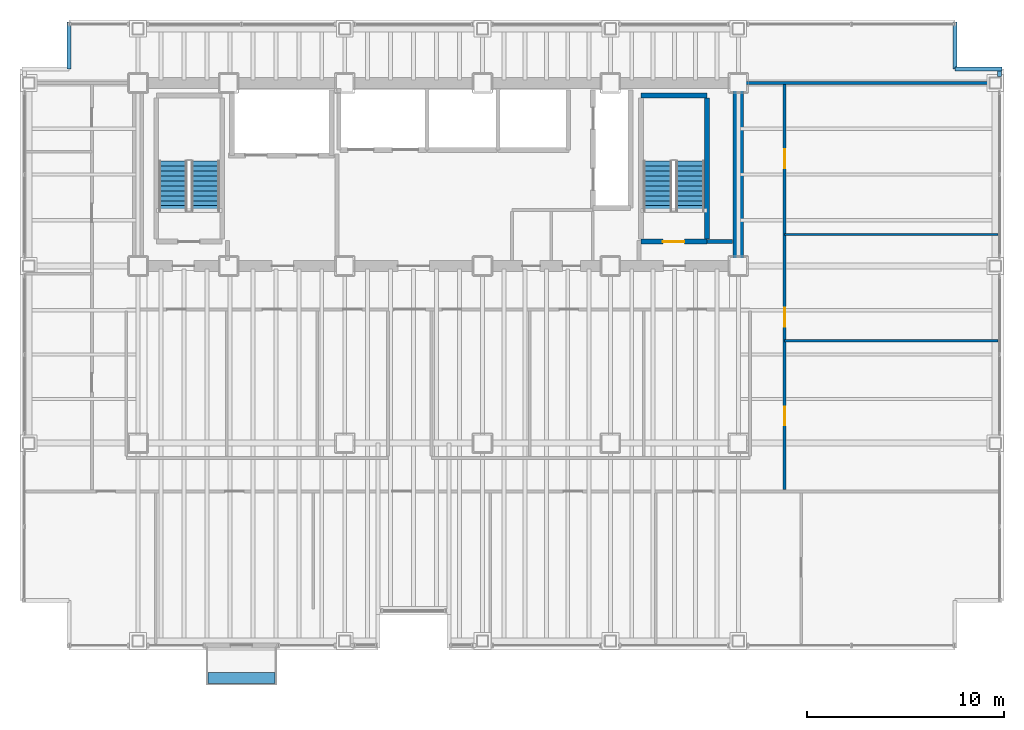
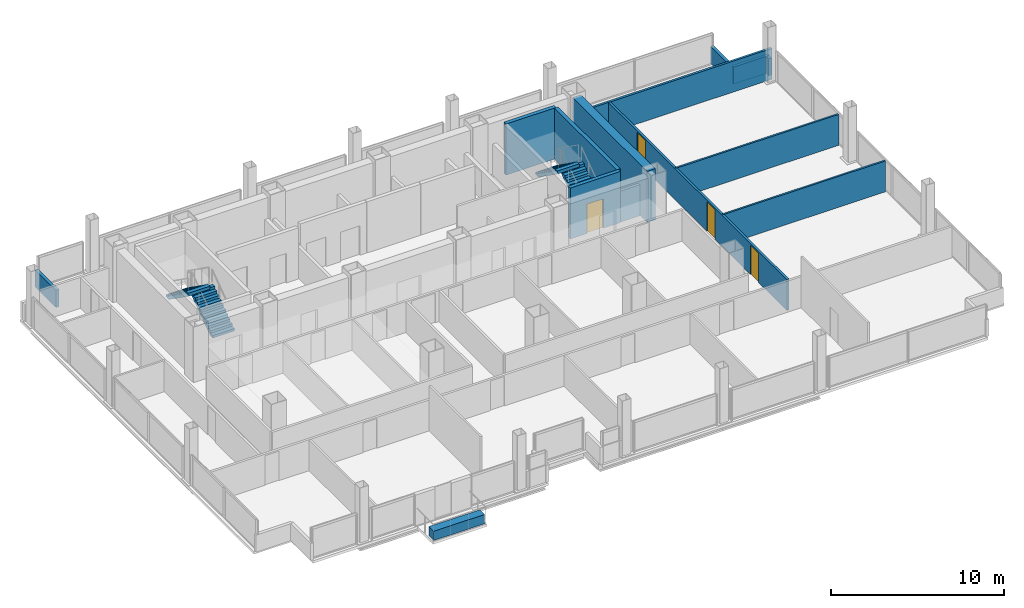
# One storey, part 20 of 21: 13 walls, 4 doors, 4 stair flights, 1 discrete accessory, 4 openings, 2 elements without a shape of their own.
"""IFC4 building model written with IfcOpenShell, lengths in metres."""

import ifcopenshell
import ifcopenshell.guid

model = None  # the IFC model being written
_history = None  # IfcOwnerHistory: only IFC2X3 demands one
_inside = {}  # id of a spatial element -> (the spatial element, [elements in it])
_under = {}  # id of a project, library or spatial element -> (it, [spatial elements below it])
_declared = {}  # id of a project -> (the project, [libraries it declares])
_typed = {}  # id of a type object -> (the type object, [elements of that type])
_made_of = {}  # id of a material, layer set ... -> (it, [elements and type objects made of it])


def new_model(schema):
    """Start an empty IFC model of exactly this schema.

    Asked for "IFC4X3", IfcOpenShell would pick the latest addendum, in which some entities
    have other attributes; the version numbers below select the first issue.
    IFC2X3 requires an IfcOwnerHistory on every rooted entity: one is made here for all.
    """
    global model, _history
    if schema == "IFC4X3":
        model = ifcopenshell.file(schema_version=(4, 3, 0, 0))
    else:
        model = ifcopenshell.file(schema=schema)
    _inside.clear()
    _under.clear()
    _declared.clear()
    _typed.clear()
    _made_of.clear()
    _history = None
    if model.schema == "IFC2X3":
        org = make("IfcOrganization", Name="unknown")
        user = make(
            "IfcPersonAndOrganization",
            ThePerson=make("IfcPerson", FamilyName="unknown"),
            TheOrganization=org,
        )
        app = make(
            "IfcApplication",
            ApplicationDeveloper=org,
            Version="unknown",
            ApplicationFullName="unknown",
            ApplicationIdentifier="unknown",
        )
        _history = make(
            "IfcOwnerHistory",
            OwningUser=user,
            OwningApplication=app,
            ChangeAction="ADDED",
            CreationDate=0,
        )
    return model


def make(cls, **values):
    """One entity of the class cls with the attributes given. An attribute that is None is left unset."""
    return model.create_entity(
        cls, **{name: value for name, value in values.items() if value is not None}
    )


def rooted(cls, **values):
    """An entity with a GlobalId (a new one), such as an element, a storey or a relation."""
    return make(cls, GlobalId=ifcopenshell.guid.new(), OwnerHistory=_history, **values)


def si_unit(unit_type, name, prefix=None):
    """IfcSIUnit, for example si_unit("LENGTHUNIT", "METRE", prefix="MILLI")."""
    return make("IfcSIUnit", UnitType=unit_type, Prefix=prefix, Name=name)


def assignment(units):
    """IfcUnitAssignment: the units of a project."""
    return None if units is None else make("IfcUnitAssignment", Units=units)


def point(xyz):
    """IfcCartesianPoint."""
    return None if xyz is None else make("IfcCartesianPoint", Coordinates=xyz)


def direction(xyz):
    """IfcDirection."""
    return None if xyz is None else make("IfcDirection", DirectionRatios=xyz)


def frame(location, z_axis=None, x_axis=None):
    """IfcAxis2Placement3D, a coordinate frame: its origin and axes. An axis left out is left unset."""
    return make(
        "IfcAxis2Placement3D",
        Location=point(location),
        Axis=direction(z_axis),
        RefDirection=direction(x_axis),
    )


def frame_2d(location, x_axis=None):
    """IfcAxis2Placement2D, a coordinate frame in the plane: its origin and x axis."""
    return make(
        "IfcAxis2Placement2D", Location=point(location), RefDirection=direction(x_axis)
    )


def origin():
    """The frame at (0, 0, 0) with its axes left unset."""
    return frame((0.0, 0.0, 0.0))


def origin_2d():
    """The frame at (0, 0) in the plane with its x axis left unset."""
    return frame_2d((0.0, 0.0))


def place(relative_to, where):
    """IfcLocalPlacement: puts the frame where relative to a parent placement (None: the world)."""
    return make(
        "IfcLocalPlacement", PlacementRelTo=relative_to, RelativePlacement=where
    )


def context(
    kind, dimensions, precision=None, world=None, true_north=None, identifier=None
):
    """IfcGeometricRepresentationContext, for example the 3D "Model" context."""
    return make(
        "IfcGeometricRepresentationContext",
        ContextIdentifier=identifier,
        ContextType=kind,
        CoordinateSpaceDimension=dimensions,
        Precision=precision,
        WorldCoordinateSystem=world,
        TrueNorth=true_north,
    )


def subcontext(parent, identifier, kind, view, scale=None):
    """IfcGeometricRepresentationSubContext, for example "Body" below "Model"."""
    return make(
        "IfcGeometricRepresentationSubContext",
        ContextIdentifier=identifier,
        ContextType=kind,
        ParentContext=parent,
        TargetScale=scale,
        TargetView=view,
    )


def project(units=None, contexts=None):
    """IfcProject with its units and contexts."""
    return rooted(
        "IfcProject",
        Name="project",
        RepresentationContexts=contexts,
        UnitsInContext=assignment(units),
    )


def spatial(cls, under=None, at=None, **own):
    """A site, building, storey or space (cls), placed at a placement, below another one or the project."""
    s = rooted(cls, ObjectPlacement=at, **own)
    if under is not None:
        _under.setdefault(under.id(), (under, []))[1].append(s)
    return s


def polyline(points):
    """IfcPolyline through the points."""
    return make("IfcPolyline", Points=[point(p) for p in points])


def profile(cls, at=None, kind="AREA", **sizes):
    """A parametric profile (cls). Its sizes go by their IFC names, for example OverallWidth=200.0."""
    return make(cls, ProfileType=kind, Position=at, **sizes)


def rectangle(**sizes):
    """IfcRectangleProfileDef."""
    return profile("IfcRectangleProfileDef", **sizes)


def outline(outer, holes=None, kind="AREA"):
    """IfcArbitraryClosedProfileDef: a profile drawn as a closed curve; with holes, ...WithVoids."""
    if holes is None:
        return make("IfcArbitraryClosedProfileDef", ProfileType=kind, OuterCurve=outer)
    return make(
        "IfcArbitraryProfileDefWithVoids",
        ProfileType=kind,
        OuterCurve=outer,
        InnerCurves=holes,
    )


def extrude(swept, where, along, depth):
    """IfcExtrudedAreaSolid: the profile swept, set in the frame where, extruded along a direction by depth."""
    return make(
        "IfcExtrudedAreaSolid",
        SweptArea=swept,
        Position=where,
        ExtrudedDirection=direction(along),
        Depth=depth,
    )


def shape(context_of_items, identifier, shape_type, items):
    """IfcShapeRepresentation: the items that make up one representation, for example the "Body"."""
    return make(
        "IfcShapeRepresentation",
        ContextOfItems=context_of_items,
        RepresentationIdentifier=identifier,
        RepresentationType=shape_type,
        Items=items,
    )


def material(Name=None, Category=None):
    """IfcMaterial."""
    return make("IfcMaterial", Name=Name, Category=Category)


def layer(
    of_material, thickness, ventilated=None, Name=None, Category=None, Priority=None
):
    """IfcMaterialLayer: one layer of a wall or slab, of a material (None: an air gap)."""
    return make(
        "IfcMaterialLayer",
        Material=of_material,
        LayerThickness=thickness,
        IsVentilated=ventilated,
        Name=Name,
        Category=Category,
        Priority=Priority,
    )


def layer_set(layers, Name=None):
    """IfcMaterialLayerSet."""
    return make("IfcMaterialLayerSet", MaterialLayers=layers, LayerSetName=Name)


def made_of(thing, what):
    """Note that an element or type object is made of a material, layer set ...; save() writes the relation."""
    if what is not None:
        _made_of.setdefault(what.id(), (what, []))[1].append(thing)
    return thing


def type_object(cls, material=None, **own):
    """A type object (cls), such as IfcWallType, which elements share."""
    return made_of(rooted(cls, **own), material)


def element(
    cls,
    number,
    at=None,
    inside=None,
    cuts=None,
    type_object=None,
    material=None,
    context=None,
    identifier="Body",
    shape_type=None,
    held_by="IfcProductDefinitionShape",
    body=None,
    shapes=None,
    **own,
):
    """One element of the class cls, such as IfcWall. Its Tag is "e" and its number.

    at: its placement. inside: the storey or other place that contains it. cuts: it is an
    opening in that element (IfcRelVoidsElement). A single representation is given by context,
    identifier, shape_type and body (its items); several are given by shapes. held_by: the class
    of the entity that holds the representations. save() writes the other relations.
    """
    e = rooted(cls, Tag="e%d" % number, ObjectPlacement=at, **own)
    if body is not None:
        shapes = [shape(context, identifier, shape_type, body)]
    if shapes is not None:
        e.Representation = make(held_by, Representations=shapes)
    if inside is not None:
        _inside.setdefault(inside.id(), (inside, []))[1].append(e)
    if cuts is not None:
        rooted(
            "IfcRelVoidsElement", RelatingBuildingElement=cuts, RelatedOpeningElement=e
        )
    if type_object is not None:
        _typed.setdefault(type_object.id(), (type_object, []))[1].append(e)
    return made_of(e, material)


def fill(opening, filler):
    """IfcRelFillsElement: the door or window that sits in an opening."""
    return rooted(
        "IfcRelFillsElement",
        RelatingOpeningElement=opening,
        RelatedBuildingElement=filler,
    )


def aggregate(whole, parts):
    """IfcRelAggregates: a whole, such as a stair, and the parts it consists of."""
    return rooted("IfcRelAggregates", RelatingObject=whole, RelatedObjects=parts)


def save(model, path):
    """Write the relations noted so far, then the file.

    IfcRelAggregates (storeys below a building ...), IfcRelContainedInSpatialStructure (elements
    in a storey), IfcRelDefinesByType, IfcRelAssociatesMaterial and IfcRelDeclares: one each for
    every whole, place, type object, material and project.
    """
    for whole, parts in _under.values():
        aggregate(whole, parts)
    for where, things in _inside.values():
        rooted(
            "IfcRelContainedInSpatialStructure",
            RelatedElements=things,
            RelatingStructure=where,
        )
    for kind, things in _typed.values():
        rooted("IfcRelDefinesByType", RelatedObjects=things, RelatingType=kind)
    for what, things in _made_of.values():
        rooted("IfcRelAssociatesMaterial", RelatedObjects=things, RelatingMaterial=what)
    for by, libraries in _declared.values():
        rooted("IfcRelDeclares", RelatingContext=by, RelatedDefinitions=libraries)
    model.write(path)


model = new_model("IFC4")

# Units and contexts
model_context = context("Model", 3, precision=1e-05, world=origin(), true_north=direction((0.0, 1.0)))
body_context = subcontext(model_context, "Body", "Model", "MODEL_VIEW")
ifc_project = project(units=[si_unit("LENGTHUNIT", "METRE"), si_unit("AREAUNIT", "SQUARE_METRE"), si_unit("VOLUMEUNIT", "CUBIC_METRE"), si_unit("PLANEANGLEUNIT", "RADIAN"), si_unit("MASSUNIT", "GRAM", prefix="KILO")], contexts=[model_context])

# Site, building, storey
site_placement = place(None, origin())
site = spatial("IfcSite", under=ifc_project, at=site_placement, CompositionType="ELEMENT")
building_placement = place(site_placement, origin())
building = spatial("IfcBuilding", under=site, at=building_placement, Name="Noeulbin Bourse Tower", CompositionType="ELEMENT")
storey_placement = place(building_placement, frame((0.0, 0.0, 96.699951171875)))
storey = spatial("IfcBuildingStorey", under=building, at=storey_placement, Name="L24", CompositionType="ELEMENT", Elevation=96.699951171875)

# Walls
ifc_material_1 = material(Name="Concrete C60/75", Category="concrete")
ifc_layer_1 = layer(ifc_material_1, 0.550048828125)
ifc_layer_set_1 = layer_set([ifc_layer_1], Name="Concrete C60/75")
wall_type_1 = type_object("IfcWallType", Name="WAL-CORE-550", PredefinedType="SHEAR", material=ifc_layer_set_1)
wall_1_placement = place(storey_placement, frame((44.0, 29.35009765625, 0.0), z_axis=(0.0, 0.0, 1.0), x_axis=(0.0, 1.0, 0.0)))
element("IfcWall", 1, at=wall_1_placement, inside=storey, type_object=wall_type_1, Name="Rear Core East Shear Wall L24", PredefinedType="SHEAR", context=body_context, shape_type="SweptSolid", body=[
    extrude(rectangle(XDim=8.599853515625, YDim=0.550048828125, at=frame_2d((4.2998046875, 0.0))), origin(), (0.0, 0.0, 1.0), 3.60009765625),
])
ifc_material_2 = material(Name="Concrete C40/50", Category="concrete")
ifc_layer_2 = layer(ifc_material_2, 0.199951171875)
ifc_layer_set_2 = layer_set([ifc_layer_2], Name="Concrete C40/50")
wall_type_2 = type_object("IfcWallType", Name="WAL-FIRE-200", PredefinedType="STANDARD", material=ifc_layer_set_2)
wall_2_placement = place(storey_placement, frame((42.39990234375, 30.239990234375, 0.0), z_axis=(0.0, 0.0, 1.0), x_axis=(1.0, 0.0, 0.0)))
element("IfcWall", 2, at=wall_2_placement, inside=storey, type_object=wall_type_2, Name="Interior Partition Wall L24-01", PredefinedType="STANDARD", context=body_context, shape_type="SweptSolid", body=[
    extrude(rectangle(XDim=1.315185546875, YDim=0.199951171875, at=frame_2d((0.65771484375, 0.0))), origin(), (0.0, 0.0, 1.0), 2.179931640625),
])
ifc_layer_3 = layer(ifc_material_2, 0.199951171875)
ifc_layer_set_3 = layer_set([ifc_layer_3], Name="Concrete C40/50")
wall_type_3 = type_object("IfcWallType", Name="WAL-PAR-200", PredefinedType="PARAPET", material=ifc_layer_set_3)
wall_3_placement = place(storey_placement, frame((57.280029296875, 38.6201171875, 0.0), z_axis=(0.0, 0.0, 1.0), x_axis=(0.0, 1.0, 0.0)))
element("IfcWall", 3, at=wall_3_placement, inside=storey, type_object=wall_type_3, Name="Perimeter Pier Spandrel Parapet L24-E2", PredefinedType="PARAPET", context=body_context, shape_type="SweptSolid", body=[
    extrude(rectangle(XDim=0.27978515625, YDim=0.199951171875, at=frame_2d((0.139892578125, 0.0))), origin(), (0.0, 0.0, 1.0), 1.199951171875),
])
for number, where, z_axis, x_axis, name in (
    (4, (10.0, 39.0, 0.0), (0.0, 0.0, 1.0), (0.0, 1.0, 0.0), "Corner Notch Parapet L24-NW2"),
    (5, (55.0, 41.39990234375, 0.0), (0.0, 0.0, 1.0), (0.0, -1.0, 0.0), "Corner Notch Parapet L24-NE1"),
    (6, (55.0, 39.0, 0.0), (0.0, 0.0, 1.0), (1.0, 0.0, 0.0), "Corner Notch Parapet L24-NE2"),
):
    element("IfcWall", number, at=place(storey_placement, frame(where, z_axis=z_axis, x_axis=x_axis)), inside=storey, type_object=wall_type_3, Name=name, PredefinedType="PARAPET", context=body_context, shape_type="SweptSolid", body=[
        extrude(rectangle(XDim=2.39990234375, YDim=0.199951171875, at=frame_2d((1.199951171875, 0.0))), origin(), (0.0, 0.0, 1.0), 1.199951171875),
    ])
ifc_material_3 = material(Name="Steel Stud Gypsum Partition", Category="steel")
ifc_layer_4 = layer(ifc_material_3, 0.1201171875)
ifc_layer_set_4 = layer_set([ifc_layer_4], Name="Steel Stud Gypsum Partition")
wall_type_4 = type_object("IfcWallType", Name="WAL-PRT-120", PredefinedType="PARTITIONING", material=ifc_layer_set_4)
for number, where, z_axis, x_axis, name in (
    (7, (46.35009765625, 25.199951171875, 0.0), (0.0, 0.0, 1.0), (1.0, 0.0, 0.0), "Interior Partition Wall L24-11"),
    (8, (46.35009765625, 30.60009765625, 0.0), (0.0, 0.0, 1.0), (1.0, 0.0, 0.0), "Interior Partition Wall L24-12"),
):
    element("IfcWall", number, at=place(storey_placement, frame(where, z_axis=z_axis, x_axis=x_axis)), inside=storey, type_object=wall_type_4, Name=name, PredefinedType="PARTITIONING", context=body_context, shape_type="SweptSolid", body=[
        extrude(rectangle(XDim=10.83984375, YDim=0.1201171875, at=frame_2d((5.419921875, 0.0))), origin(), (0.0, 0.0, 1.0), 2.179931640625),
    ])
ifc_material_4 = material(Name="Steel Stud Acoustic Gypsum Board", Category="steel")
ifc_layer_5 = layer(ifc_material_4, 0.14990234375)
ifc_layer_set_5 = layer_set([ifc_layer_5], Name="Steel Stud Acoustic Gypsum Board")
wall_type_5 = type_object("IfcWallType", Name="WAL-PRT-150", PredefinedType="PARTITIONING", material=ifc_layer_set_5)
wall_4_placement = place(storey_placement, frame((44.0, 38.300048828125, 0.0), z_axis=(0.0, 0.0, 1.0), x_axis=(1.0, 0.0, 0.0)))
element("IfcWall", 9, at=wall_4_placement, inside=storey, type_object=wall_type_5, Name="Interior Partition Wall L24-08", PredefinedType="PARTITIONING", context=body_context, shape_type="SweptSolid", body=[
    extrude(rectangle(XDim=13.18994140625, YDim=0.14990234375, at=frame_2d((6.594970703125, 0.0))), origin(), (0.0, 0.0, 1.0), 2.179931640625),
])

# Wall, openings, doors
wall_5_placement = place(storey_placement, frame((46.35009765625, 17.635009765625, 0.0), z_axis=(0.0, 0.0, 1.0), x_axis=(0.0, 1.0, 0.0)))
wall_5 = element("IfcWall", 10, at=wall_5_placement, inside=storey, type_object=wall_type_5, Name="Interior Partition Wall L24-23", PredefinedType="PARTITIONING", context=body_context, shape_type="SweptSolid", body=[
    extrude(rectangle(XDim=20.580078125, YDim=0.14990234375, at=frame_2d((10.2900390625, 0.0))), origin(), (0.0, 0.0, 1.0), 2.179931640625),
])
opening_1_placement = place(wall_5_placement, frame((3.264892578125, 0.0, 0.0)))
opening_1 = element("IfcOpeningElement", 11, at=opening_1_placement, cuts=wall_5, Name="Opening ID-09", PredefinedType="OPENING", context=body_context, shape_type="SweptSolid", body=[
    extrude(rectangle(XDim=0.949951171875, YDim=2.080078125, at=frame_2d((0.47509765625, 1.0400390625))), frame((0.0, 0.0849609375, 0.0), z_axis=(0.0, -1.0, 0.0), x_axis=(1.0, 0.0, 0.0)), (0.0, 0.0, 1.0), 0.169921875),
])
opening_2_placement = place(wall_5_placement, frame((8.2900390625, 0.0, 0.0)))
opening_2 = element("IfcOpeningElement", 12, at=opening_2_placement, cuts=wall_5, Name="Opening ID-09", PredefinedType="OPENING", context=body_context, shape_type="SweptSolid", body=[
    extrude(rectangle(XDim=0.949951171875, YDim=2.080078125, at=frame_2d((0.47509765625, 1.0400390625))), frame((0.0, 0.0849609375, 0.0), z_axis=(0.0, -1.0, 0.0), x_axis=(1.0, 0.0, 0.0)), (0.0, 0.0, 1.0), 0.169921875),
])
opening_3_placement = place(wall_5_placement, frame((16.340087890625, 0.0, 0.0)))
opening_3 = element("IfcOpeningElement", 13, at=opening_3_placement, cuts=wall_5, Name="Opening ID-09", PredefinedType="OPENING", context=body_context, shape_type="SweptSolid", body=[
    extrude(rectangle(XDim=0.949951171875, YDim=2.080078125, at=frame_2d((0.47509765625, 1.0400390625))), frame((0.0, 0.0849609375, 0.0), z_axis=(0.0, -1.0, 0.0), x_axis=(1.0, 0.0, 0.0)), (0.0, 0.0, 1.0), 0.169921875),
])
ifc_material_5 = material(Name="Acoustic Solid-Core Timber", Category="wood")
door_type_1 = type_object("IfcDoorType", Name="DR-SINGLE-950", OperationType="SINGLE_SWING_LEFT", PredefinedType="DOOR", material=ifc_material_5)
door_1_placement = place(opening_1_placement, origin())
door_1 = element("IfcDoor", 14, at=door_1_placement, inside=storey, type_object=door_type_1, Name="Interior Door L24-23", OperationType="SINGLE_SWING_RIGHT", OverallHeight=2.080078125, OverallWidth=0.949951171875, PredefinedType="DOOR", context=body_context, shape_type="SweptSolid", body=[
    extrude(rectangle(XDim=0.949951171875, YDim=2.080078125, at=frame_2d((0.47509765625, 1.0400390625))), frame((0.0, 0.02490234375, 0.0), z_axis=(0.0, -1.0, 0.0), x_axis=(1.0, 0.0, 0.0)), (0.0, 0.0, 1.0), 0.050048828125),
])
fill(opening_1, door_1)
door_2_placement = place(opening_2_placement, origin())
door_2 = element("IfcDoor", 15, at=door_2_placement, inside=storey, type_object=door_type_1, Name="Interior Door L24-24", OperationType="SINGLE_SWING_LEFT", OverallHeight=2.080078125, OverallWidth=0.949951171875, PredefinedType="DOOR", context=body_context, shape_type="SweptSolid", body=[
    extrude(rectangle(XDim=0.949951171875, YDim=2.080078125, at=frame_2d((0.47509765625, 1.0400390625))), frame((0.0, 0.02490234375, 0.0), z_axis=(0.0, -1.0, 0.0), x_axis=(1.0, 0.0, 0.0)), (0.0, 0.0, 1.0), 0.050048828125),
])
fill(opening_2, door_2)
door_3_placement = place(opening_3_placement, origin())
door_3 = element("IfcDoor", 16, at=door_3_placement, inside=storey, type_object=door_type_1, Name="Interior Door L24-25", OperationType="SINGLE_SWING_RIGHT", OverallHeight=2.080078125, OverallWidth=0.949951171875, PredefinedType="DOOR", context=body_context, shape_type="SweptSolid", body=[
    extrude(rectangle(XDim=0.949951171875, YDim=2.080078125, at=frame_2d((0.47509765625, 1.0400390625))), frame((0.0, 0.02490234375, 0.0), z_axis=(0.0, -1.0, 0.0), x_axis=(1.0, 0.0, 0.0)), (0.0, 0.0, 1.0), 0.050048828125),
])
fill(opening_3, door_3)

# Wall, opening, door
ifc_layer_6 = layer(ifc_material_2, 0.25)
ifc_layer_set_6 = layer_set([ifc_layer_6], Name="Concrete C40/50")
wall_type_6 = type_object("IfcWallType", Name="WAL-SHFT-250", PredefinedType="STANDARD", material=ifc_layer_set_6)
wall_6_placement = place(storey_placement, frame((39.06005859375, 30.235107421875, 0.0), z_axis=(0.0, 0.0, 1.0), x_axis=(1.0, 0.0, 0.0)))
wall_6 = element("IfcWall", 17, at=wall_6_placement, inside=storey, type_object=wall_type_6, Name="Stair ST-2 South Shaft Wall L24", PredefinedType="STANDARD", context=body_context, shape_type="SweptSolid", body=[
    extrude(rectangle(XDim=3.33984375, YDim=0.25, at=frame_2d((1.669921875, 0.0))), origin(), (0.0, 0.0, 1.0), 3.60009765625),
])
opening_4_placement = place(wall_6_placement, frame((1.10009765625, 0.0, 0.0)))
opening_4 = element("IfcOpeningElement", 18, at=opening_4_placement, cuts=wall_6, Name="Opening FD-11", PredefinedType="OPENING", context=body_context, shape_type="SweptSolid", body=[
    extrude(rectangle(XDim=1.10009765625, YDim=2.080078125, at=frame_2d((0.550048828125, 1.0400390625))), frame((0.0, 0.135009765625, 0.0), z_axis=(0.0, -1.0, 0.0), x_axis=(1.0, 0.0, 0.0)), (0.0, 0.0, 1.0), 0.27001953125),
])
ifc_material_6 = material(Name="Fire-Rated Insulated Steel", Category="steel")
door_type_2 = type_object("IfcDoorType", Name="DR-FD60-1100", OperationType="SINGLE_SWING_LEFT", PredefinedType="DOOR", material=ifc_material_6)
door_4_placement = place(opening_4_placement, origin())
door_4 = element("IfcDoor", 19, at=door_4_placement, inside=storey, type_object=door_type_2, Name="Protected Stair Entry Door ST2-L24", OperationType="SINGLE_SWING_LEFT", OverallHeight=2.080078125, OverallWidth=1.10009765625, PredefinedType="DOOR", context=body_context, shape_type="SweptSolid", body=[
    extrude(rectangle(XDim=1.10009765625, YDim=2.080078125, at=frame_2d((0.550048828125, 1.0400390625))), frame((0.0, 0.02490234375, 0.0), z_axis=(0.0, -1.0, 0.0), x_axis=(1.0, 0.0, 0.0)), (0.0, 0.0, 1.0), 0.050048828125),
])
fill(opening_4, door_4)

# Walls
wall_7_placement = place(storey_placement, frame((39.06005859375, 37.6689453125, 0.0), z_axis=(0.0, 0.0, 1.0), x_axis=(1.0, 0.0, 0.0)))
element("IfcWall", 20, at=wall_7_placement, inside=storey, type_object=wall_type_6, Name="Stair ST-2 North Shaft Wall L24", PredefinedType="STANDARD", context=body_context, shape_type="SweptSolid", body=[
    extrude(rectangle(XDim=3.33984375, YDim=0.25, at=frame_2d((1.669921875, 0.0))), origin(), (0.0, 0.0, 1.0), 3.60009765625),
])
wall_8_placement = place(storey_placement, frame((42.405029296875, 30.360107421875, 0.0), z_axis=(0.0, 0.0, 1.0), x_axis=(0.0, 1.0, 0.0)))
element("IfcWall", 21, at=wall_8_placement, inside=storey, type_object=wall_type_6, Name="Stair ST-2 East Shaft Wall L24", PredefinedType="STANDARD", context=body_context, shape_type="SweptSolid", body=[
    extrude(rectangle(XDim=7.183837890625, YDim=0.25, at=frame_2d((3.591796875, 0.0))), origin(), (0.0, 0.0, 1.0), 3.60009765625),
])

# Stair, stair flights
stair_type = type_object("IfcStairType", Name="STR-CORE-1560", PredefinedType="HALF_TURN_STAIR", material=ifc_material_2)
stair_1_placement = place(storey_placement, origin())
stair_1 = element("IfcStair", 22, at=stair_1_placement, inside=storey, type_object=stair_type, Name="L24 ST-1", PredefinedType="HALF_TURN_STAIR")
stair_flight_type = type_object("IfcStairFlightType", Name="SFL-CORE-1560", PredefinedType="STRAIGHT", material=ifc_material_2)
stair_flight_1_placement = place(storey_placement, frame((16.925048828125, 31.81005859375, 0.0), z_axis=(0.0, 0.0, 1.0), x_axis=(0.0, 1.0, 0.0)))
stair_flight_1 = element("IfcStairFlight", 23, at=stair_flight_1_placement, type_object=stair_flight_type, Name="ST-1 flight 1", NumberOfRisers=11, NumberOfTreads=10, PredefinedType="STRAIGHT", RiserHeight=0.177272727, TreadLength=0.252, context=body_context, shape_type="SweptSolid", body=[
    extrude(outline(polyline([(0.0, 0.0), (0.0, 0.17724609375), (0.251953125, 0.17724609375), (0.251953125, 0.3544921875), (0.50390625, 0.3544921875), (0.50390625, 0.53173828125), (0.756103515625, 0.53173828125), (0.756103515625, 0.708984375), (1.008056640625, 0.708984375), (1.008056640625, 0.886474609375), (1.260009765625, 0.886474609375), (1.260009765625, 1.063720703125), (1.511962890625, 1.063720703125), (1.511962890625, 1.240966796875), (1.763916015625, 1.240966796875), (1.763916015625, 1.418212890625), (2.01611328125, 1.418212890625), (2.01611328125, 1.595458984375), (2.26806640625, 1.595458984375), (2.26806640625, 1.772705078125), (2.52001953125, 1.772705078125), (2.52001953125, 1.949951171875), (2.52001953125, 1.552734375), (0.312744140625, 0.0), (0.0, 0.0)])), frame((0.0, 0.72509765625, 0.0), z_axis=(0.0, -1.0, 0.0), x_axis=(1.0, 0.0, 0.0)), (0.0, 0.0, 1.0), 1.449951171875),
])
stair_flight_2_placement = place(storey_placement, frame((15.27490234375, 34.330078125, 1.949951171875), z_axis=(0.0, 0.0, 1.0), x_axis=(0.0, -1.0, 0.0)))
stair_flight_2 = element("IfcStairFlight", 24, at=stair_flight_2_placement, type_object=stair_flight_type, Name="ST-1 flight 2", NumberOfRisers=11, NumberOfTreads=10, PredefinedType="STRAIGHT", RiserHeight=0.177272727, TreadLength=0.252, context=body_context, shape_type="SweptSolid", body=[
    extrude(outline(polyline([(0.0, 0.0), (0.0, 0.17724609375), (0.251953125, 0.17724609375), (0.251953125, 0.3544921875), (0.50390625, 0.3544921875), (0.50390625, 0.53173828125), (0.756103515625, 0.53173828125), (0.756103515625, 0.708984375), (1.008056640625, 0.708984375), (1.008056640625, 0.886474609375), (1.260009765625, 0.886474609375), (1.260009765625, 1.063720703125), (1.511962890625, 1.063720703125), (1.511962890625, 1.240966796875), (1.763916015625, 1.240966796875), (1.763916015625, 1.418212890625), (2.01611328125, 1.418212890625), (2.01611328125, 1.595458984375), (2.26806640625, 1.595458984375), (2.26806640625, 1.772705078125), (2.52001953125, 1.772705078125), (2.52001953125, 1.949951171875), (2.52001953125, 1.552734375), (0.312744140625, 0.0), (0.0, 0.0)])), frame((0.0, 0.72509765625, 0.0), z_axis=(0.0, -1.0, 0.0), x_axis=(1.0, 0.0, 0.0)), (0.0, 0.0, 1.0), 1.449951171875),
])
aggregate(stair_1, [stair_flight_1, stair_flight_2])

stair_2_placement = place(storey_placement, origin())
stair_2 = element("IfcStair", 25, at=stair_2_placement, inside=storey, type_object=stair_type, Name="L24 ST-2", PredefinedType="HALF_TURN_STAIR")
stair_flight_3_placement = place(storey_placement, frame((41.554931640625, 31.81005859375, 0.0), z_axis=(0.0, 0.0, 1.0), x_axis=(0.0, 1.0, 0.0)))
stair_flight_3 = element("IfcStairFlight", 26, at=stair_flight_3_placement, type_object=stair_flight_type, Name="ST-2 flight 1", NumberOfRisers=11, NumberOfTreads=10, PredefinedType="STRAIGHT", RiserHeight=0.177272727, TreadLength=0.252, context=body_context, shape_type="SweptSolid", body=[
    extrude(outline(polyline([(0.0, 0.0), (0.0, 0.17724609375), (0.251953125, 0.17724609375), (0.251953125, 0.3544921875), (0.50390625, 0.3544921875), (0.50390625, 0.53173828125), (0.756103515625, 0.53173828125), (0.756103515625, 0.708984375), (1.008056640625, 0.708984375), (1.008056640625, 0.886474609375), (1.260009765625, 0.886474609375), (1.260009765625, 1.063720703125), (1.511962890625, 1.063720703125), (1.511962890625, 1.240966796875), (1.763916015625, 1.240966796875), (1.763916015625, 1.418212890625), (2.01611328125, 1.418212890625), (2.01611328125, 1.595458984375), (2.26806640625, 1.595458984375), (2.26806640625, 1.772705078125), (2.52001953125, 1.772705078125), (2.52001953125, 1.949951171875), (2.52001953125, 1.552734375), (0.312744140625, 0.0), (0.0, 0.0)])), frame((0.0, 0.72509765625, 0.0), z_axis=(0.0, -1.0, 0.0), x_axis=(1.0, 0.0, 0.0)), (0.0, 0.0, 1.0), 1.449951171875),
])
stair_flight_4_placement = place(storey_placement, frame((39.905029296875, 34.330078125, 1.949951171875), z_axis=(0.0, 0.0, 1.0), x_axis=(0.0, -1.0, 0.0)))
stair_flight_4 = element("IfcStairFlight", 27, at=stair_flight_4_placement, type_object=stair_flight_type, Name="ST-2 flight 2", NumberOfRisers=11, NumberOfTreads=10, PredefinedType="STRAIGHT", RiserHeight=0.177272727, TreadLength=0.252, context=body_context, shape_type="SweptSolid", body=[
    extrude(outline(polyline([(0.0, 0.0), (0.0, 0.17724609375), (0.251953125, 0.17724609375), (0.251953125, 0.3544921875), (0.50390625, 0.3544921875), (0.50390625, 0.53173828125), (0.756103515625, 0.53173828125), (0.756103515625, 0.708984375), (1.008056640625, 0.708984375), (1.008056640625, 0.886474609375), (1.260009765625, 0.886474609375), (1.260009765625, 1.063720703125), (1.511962890625, 1.063720703125), (1.511962890625, 1.240966796875), (1.763916015625, 1.240966796875), (1.763916015625, 1.418212890625), (2.01611328125, 1.418212890625), (2.01611328125, 1.595458984375), (2.26806640625, 1.595458984375), (2.26806640625, 1.772705078125), (2.52001953125, 1.772705078125), (2.52001953125, 1.949951171875), (2.52001953125, 1.552734375), (0.312744140625, 0.0), (0.0, 0.0)])), frame((0.0, 0.72509765625, 0.0), z_axis=(0.0, -1.0, 0.0), x_axis=(1.0, 0.0, 0.0)), (0.0, 0.0, 1.0), 1.449951171875),
])
aggregate(stair_2, [stair_flight_3, stair_flight_4])

# Discrete accessory
ifc_material_7 = material(Name="Architectural GFRC Concrete C40/50", Category="concrete")
ifc_layer_7 = layer(ifc_material_7, 0.64990234375)
ifc_layer_set_7 = layer_set([ifc_layer_7], Name="Architectural GFRC Concrete C40/50")
discrete_accessory_type = type_object("IfcDiscreteAccessoryType", Name="PLANTER-BOX-3600", PredefinedType="USERDEFINED", material=ifc_layer_set_7)
discrete_accessory_placement = place(storey_placement, frame((18.75, 8.06005859375, 0.0), z_axis=(0.0, 0.0, 1.0), x_axis=(1.0, 0.0, 0.0)))
element("IfcDiscreteAccessory", 28, at=discrete_accessory_placement, inside=storey, type_object=discrete_accessory_type, Name="Integrated Balcony Tree Planter Box L24", ObjectType="PLANTER", PredefinedType="USERDEFINED", context=body_context, shape_type="SweptSolid", body=[
    extrude(rectangle(XDim=3.39990234375, YDim=0.550048828125, at=origin_2d()), origin(), (0.0, 0.0, 1.0), 0.64990234375),
])

save(model, "model.ifc")
